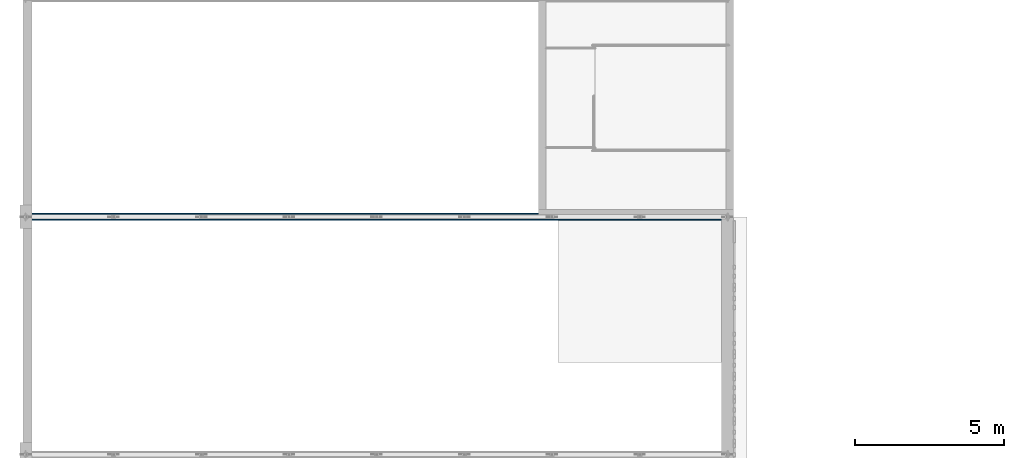
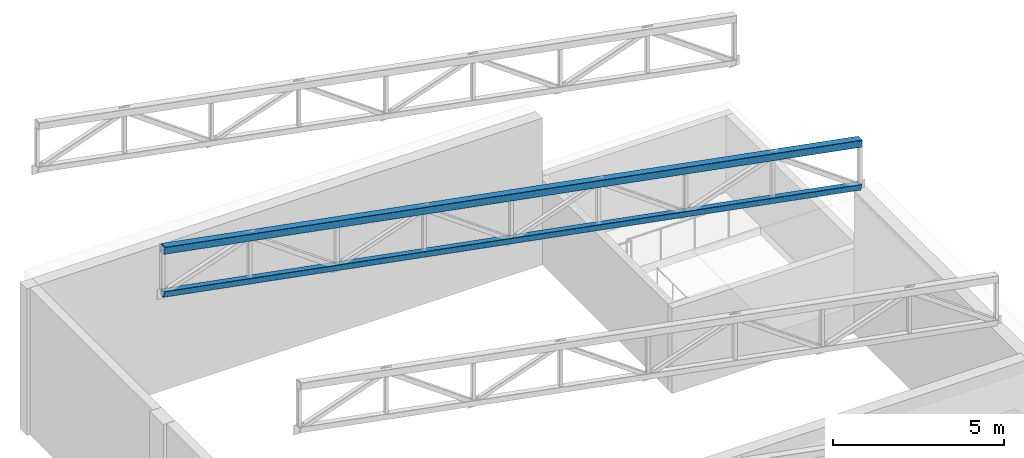
# One storey, part 15 of 125: 2 members.
"""IFC4 building model written with IfcOpenShell, lengths in metres."""

from ifc_helpers import new_model, si_unit, direction, frame, origin, origin_2d, place, context, subcontext, project, spatial, hollow_rectangle, extrude, material, material_profile, profile_set, type_object, element, save


model = new_model("IFC4")

# Units and contexts
model_context = context("Model", 3, precision=1e-05, world=origin(), true_north=direction((0.0, 1.0)))
body_context = subcontext(model_context, "Body", "Model", "MODEL_VIEW")
ifc_project = project(units=[si_unit("LENGTHUNIT", "METRE"), si_unit("AREAUNIT", "SQUARE_METRE"), si_unit("VOLUMEUNIT", "CUBIC_METRE"), si_unit("PLANEANGLEUNIT", "RADIAN"), si_unit("MASSUNIT", "GRAM", prefix="KILO")], contexts=[model_context])

# Site, building, storey
site_placement = place(None, origin())
site = spatial("IfcSite", under=ifc_project, at=site_placement, CompositionType="ELEMENT")
building_placement = place(site_placement, origin())
building = spatial("IfcBuilding", under=site, at=building_placement, Name="Sun Court Science Centre", CompositionType="ELEMENT")
storey_placement = place(building_placement, frame((0.0, 0.0, 6.0)))
storey = spatial("IfcBuildingStorey", under=building, at=storey_placement, Name="L01", CompositionType="ELEMENT", Elevation=6.0)

# Members
ifc_material_1 = material(Name="Steel S355", Category="steel")
ifc_material_profile_1 = material_profile(ifc_material_1, hollow_rectangle(XDim=0.199951171875, YDim=0.199951171875, WallThickness=0.010009765625, InnerFilletRadius=0.010009765625, OuterFilletRadius=0.014892578125, at=origin_2d()), Name="SHS 200x200x10")
ifc_profile_set_1 = profile_set([ifc_material_profile_1], Name="Steel S355")
member_type_1 = type_object("IfcMemberType", Name="Truss bottom chord SHS 200x200x10", PredefinedType="CHORD", material=ifc_profile_set_1)
member_1_placement = place(storey_placement, frame((0.199951171875, 64.0, 9.342529296875), z_axis=(0.982871956721, 0.0, -0.184289762849), x_axis=(0.0, 1.0, 0.0)))
element("IfcMember", 1, at=member_1_placement, inside=storey, type_object=member_type_1, Name="Roof truss 3 bottom chord", PredefinedType="CHORD", context=body_context, shape_type="SweptSolid", body=[
    extrude(hollow_rectangle(XDim=0.199951171875, YDim=0.199951171875, WallThickness=0.010009765625, InnerFilletRadius=0.010009765625, OuterFilletRadius=0.014892578125, at=origin_2d()), origin(), (0.0, 0.0, 1.0), 24.011474609375),
])
ifc_material_2 = material(Name="Steel S355", Category="steel")
ifc_material_profile_2 = material_profile(ifc_material_2, hollow_rectangle(XDim=0.25, YDim=0.25, WallThickness=0.010009765625, InnerFilletRadius=0.010009765625, OuterFilletRadius=0.014892578125, at=origin_2d()), Name="SHS 250x250x10")
ifc_profile_set_2 = profile_set([ifc_material_profile_2], Name="Steel S355")
member_type_2 = type_object("IfcMemberType", Name="Truss top chord SHS 250x250x10", PredefinedType="CHORD", material=ifc_profile_set_2)
member_2_placement = place(storey_placement, frame((0.199951171875, 64.0, 10.91748046875), z_axis=(0.982871956721, 0.0, -0.184289762849), x_axis=(0.0, 1.0, 0.0)))
element("IfcMember", 2, at=member_2_placement, inside=storey, type_object=member_type_2, Name="Roof truss 3 top chord", PredefinedType="CHORD", context=body_context, shape_type="SweptSolid", body=[
    extrude(hollow_rectangle(XDim=0.25, YDim=0.25, WallThickness=0.010009765625, InnerFilletRadius=0.010009765625, OuterFilletRadius=0.014892578125, at=origin_2d()), origin(), (0.0, 0.0, 1.0), 24.011474609375),
])

save(model, "model.ifc")
